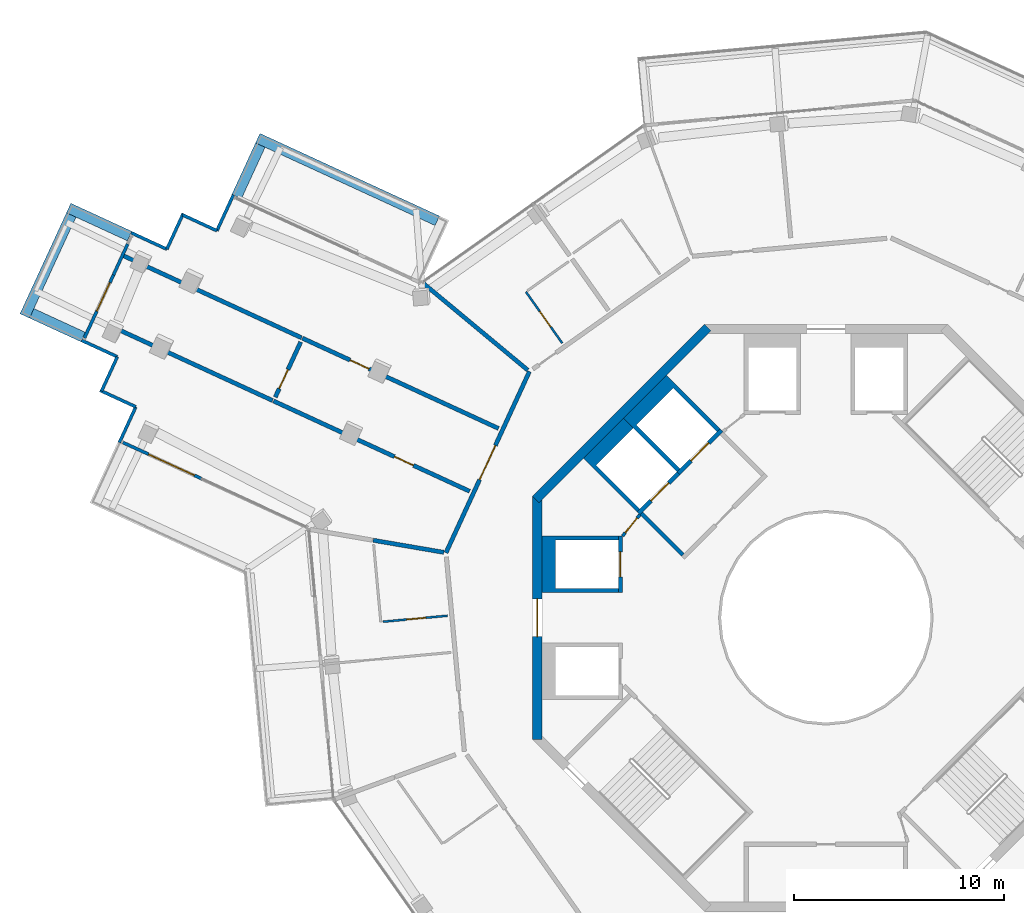
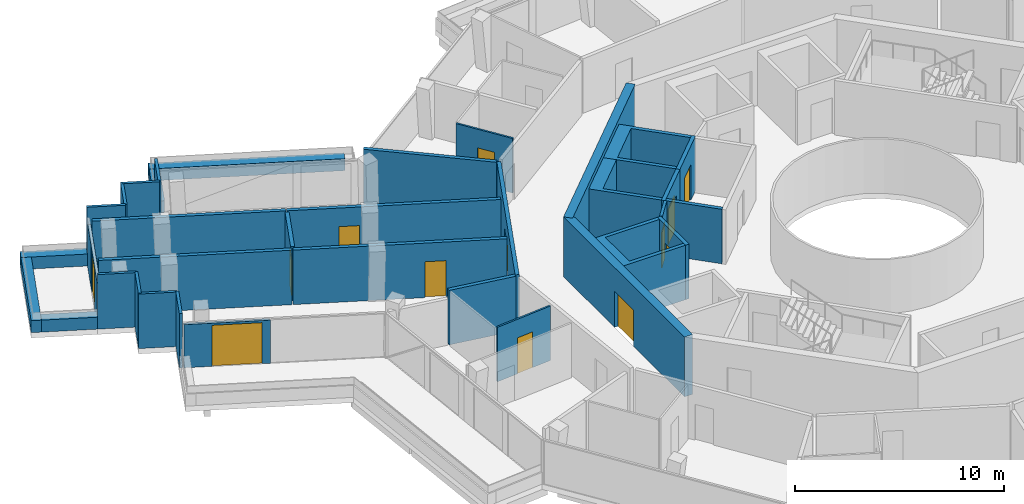
# One storey, part 19 of 25: 36 walls, 13 doors, 13 openings.
"""IFC4 building model written with IfcOpenShell, lengths in metres."""

from ifc_helpers import new_model, si_unit, direction, frame, frame_2d, origin, place, context, subcontext, project, spatial, polyline, rectangle, outline, extrude, material, layer, layer_set, type_object, element, fill, save


model = new_model("IFC4")

# Units and contexts
model_context = context("Model", 3, precision=1e-05, world=origin(), true_north=direction((0.0, 1.0)))
body_context = subcontext(model_context, "Body", "Model", "MODEL_VIEW")
ifc_project = project(units=[si_unit("LENGTHUNIT", "METRE"), si_unit("AREAUNIT", "SQUARE_METRE"), si_unit("VOLUMEUNIT", "CUBIC_METRE"), si_unit("PLANEANGLEUNIT", "RADIAN"), si_unit("MASSUNIT", "GRAM", prefix="KILO")], contexts=[model_context])

# Site, building, storey
site_placement = place(None, origin())
site = spatial("IfcSite", under=ifc_project, at=site_placement, CompositionType="ELEMENT")
building_placement = place(site_placement, origin())
building = spatial("IfcBuilding", under=site, at=building_placement, Name="Verdalira Terraces Hotel", CompositionType="ELEMENT")
storey_placement = place(building_placement, frame((0.0, 0.0, 299.5)))
storey = spatial("IfcBuildingStorey", under=building, at=storey_placement, Name="L74", CompositionType="ELEMENT", Elevation=299.5)

# Walls
ifc_material_1 = material(Name="Concrete C40", Category="concrete")
ifc_layer_1 = layer(ifc_material_1, 0.5)
ifc_layer_set_1 = layer_set([ifc_layer_1], Name="Balcony planter trough with tree")
wall_type_1 = type_object("IfcWallType", Name="Balcony planter trough with tree", PredefinedType="SOLIDWALL", material=ifc_layer_set_1)
wall_1_placement = place(storey_placement, frame((-33.214111, 18.208252, 0.0), z_axis=(0.0, 0.0, 1.0), x_axis=(-0.908372193, 0.418162598, 0.0)))
element("IfcWall", 1, at=wall_1_placement, inside=storey, type_object=wall_type_1, Name="Balcony planter", PredefinedType="SOLIDWALL", context=body_context, shape_type="SweptSolid", body=[
    extrude(rectangle(XDim=3.198975, YDim=0.5, at=frame_2d((1.599609, 0.0))), origin(), (0.0, 0.0, 1.0), 0.699951),
])
wall_2_placement = place(storey_placement, frame((-35.997314, 19.214355, 0.0), z_axis=(0.0, 0.0, 1.0), x_axis=(-0.418202126, -0.908353996, 0.0)))
element("IfcWall", 2, at=wall_2_placement, inside=storey, type_object=wall_type_1, Name="Balcony planter", PredefinedType="SOLIDWALL", context=body_context, shape_type="SweptSolid", body=[
    extrude(rectangle(XDim=5.300293, YDim=0.5, at=frame_2d((2.650146, 0.0))), origin(), (0.0, 0.0, 1.0), 0.699951),
])
wall_3_placement = place(storey_placement, frame((-37.88208, 14.522461, 0.0), z_axis=(0.0, 0.0, 1.0), x_axis=(0.908364029, -0.418180333, 0.0)))
element("IfcWall", 3, at=wall_3_placement, inside=storey, type_object=wall_type_1, Name="Balcony planter", PredefinedType="SOLIDWALL", context=body_context, shape_type="SweptSolid", body=[
    extrude(rectangle(XDim=2.698975, YDim=0.5, at=frame_2d((1.349609, 0.0))), origin(), (0.0, 0.0, 1.0), 0.699951),
])
wall_4_placement = place(storey_placement, frame((-18.537598, 18.9375, 0.0), z_axis=(0.0, 0.0, 1.0), x_axis=(-0.908360009, 0.418189066, 0.0)))
element("IfcWall", 4, at=wall_4_placement, inside=storey, type_object=wall_type_1, Name="Balcony planter", PredefinedType="SOLIDWALL", context=body_context, shape_type="SweptSolid", body=[
    extrude(rectangle(XDim=9.425537, YDim=0.5, at=frame_2d((4.712891, 0.0))), origin(), (0.0, 0.0, 1.0), 0.699951),
])
wall_5_placement = place(storey_placement, frame((-26.976807, 22.547607, 0.0), z_axis=(0.0, 0.0, 1.0), x_axis=(-0.418180333, -0.908364029, 0.0)))
element("IfcWall", 5, at=wall_5_placement, inside=storey, type_object=wall_type_1, Name="Balcony planter", PredefinedType="SOLIDWALL", context=body_context, shape_type="SweptSolid", body=[
    extrude(rectangle(XDim=2.698975, YDim=0.5, at=frame_2d((1.349609, 0.0))), origin(), (0.0, 0.0, 1.0), 0.699951),
])

# Wall, opening, door
ifc_material_2 = material(Name="Moisture-resistant gypsum board partition")
ifc_layer_2 = layer(ifc_material_2, 0.10009765625)
ifc_layer_set_2 = layer_set([ifc_layer_2], Name="Bathroom partition 100 mm")
wall_type_2 = type_object("IfcWallType", Name="Bathroom partition 100 mm", PredefinedType="PARTITIONING", material=ifc_layer_set_2)
wall_6_placement = place(storey_placement, frame((-21.130859, -0.187012, 0.0), z_axis=(0.0, 0.0, 1.0), x_axis=(0.99575325, 0.092062286, 0.0)))
wall_6 = element("IfcWall", 6, at=wall_6_placement, inside=storey, type_object=wall_type_2, Name="Bathroom partition", PredefinedType="PARTITIONING", context=body_context, shape_type="SweptSolid", body=[
    extrude(rectangle(XDim=3.100098, YDim=0.100098, at=frame_2d((1.550049, 0.0))), origin(), (0.0, 0.0, 1.0), 3.189941),
])
opening_1_placement = place(wall_6_placement, frame((1.149902, 0.0, 0.0)))
opening_1 = element("IfcOpeningElement", 7, at=opening_1_placement, cuts=wall_6, Name="Opening L74-107", PredefinedType="OPENING", context=body_context, shape_type="SweptSolid", body=[
    extrude(rectangle(XDim=0.899902, YDim=2.100098, at=frame_2d((0.449951, 1.050049))), frame((0.0, 0.060059, 0.0), z_axis=(0.0, -1.0, 0.0), x_axis=(1.0, 0.0, 0.0)), (0.0, 0.0, 1.0), 0.120117),
])
ifc_material_3 = material(Name="Timber door", Category="wood")
door_type_1 = type_object("IfcDoorType", Name="Bathroom door 900 x 2100", OperationType="NOTDEFINED", PredefinedType="DOOR", material=ifc_material_3)
door_1_placement = place(opening_1_placement, origin())
door_1 = element("IfcDoor", 8, at=door_1_placement, inside=storey, type_object=door_type_1, Name="Bathroom door 7402", OperationType="SINGLE_SWING_LEFT", OverallHeight=2.10009765625, OverallWidth=0.89990234375, PredefinedType="DOOR", context=body_context, shape_type="SweptSolid", body=[
    extrude(rectangle(XDim=0.899902, YDim=2.100098, at=frame_2d((0.449951, 1.050049))), frame((0.0, 0.024902, 0.0), z_axis=(0.0, -1.0, 0.0), x_axis=(1.0, 0.0, 0.0)), (0.0, 0.0, 1.0), 0.050049),
])
fill(opening_1, door_1)

wall_7_placement = place(storey_placement, frame((-14.309082, 15.549805, 0.0), z_axis=(0.0, 0.0, 1.0), x_axis=(0.577529543, -0.816369786, 0.0)))
wall_7 = element("IfcWall", 9, at=wall_7_placement, inside=storey, type_object=wall_type_2, Name="Bathroom partition", PredefinedType="PARTITIONING", context=body_context, shape_type="SweptSolid", body=[
    extrude(rectangle(XDim=3.000244, YDim=0.100098, at=frame_2d((1.5, 0.0))), origin(), (0.0, 0.0, 1.0), 3.189941),
])
opening_2_placement = place(wall_7_placement, frame((1.149902, 0.0, 0.0)))
opening_2 = element("IfcOpeningElement", 10, at=opening_2_placement, cuts=wall_7, Name="Opening L74-133", PredefinedType="OPENING", context=body_context, shape_type="SweptSolid", body=[
    extrude(rectangle(XDim=0.899902, YDim=2.100098, at=frame_2d((0.449951, 1.050049))), frame((0.0, 0.060059, 0.0), z_axis=(0.0, -1.0, 0.0), x_axis=(1.0, 0.0, 0.0)), (0.0, 0.0, 1.0), 0.120117),
])
door_2_placement = place(opening_2_placement, origin())
door_2 = element("IfcDoor", 11, at=door_2_placement, inside=storey, type_object=door_type_1, Name="Bathroom door 7413", OperationType="SINGLE_SWING_LEFT", OverallHeight=2.10009765625, OverallWidth=0.89990234375, PredefinedType="DOOR", context=body_context, shape_type="SweptSolid", body=[
    extrude(rectangle(XDim=0.899902, YDim=2.100098, at=frame_2d((0.449951, 1.050049))), frame((0.0, 0.024902, 0.0), z_axis=(0.0, -1.0, 0.0), x_axis=(1.0, 0.0, 0.0)), (0.0, 0.0, 1.0), 0.050049),
])
fill(opening_2, door_2)

# Wall
ifc_material_4 = material(Name="Concrete C50", Category="concrete")
ifc_layer_3 = layer(ifc_material_4, 0.199951171875)
ifc_layer_set_3 = layer_set([ifc_layer_3], Name="Core RC wall 200 C50")
wall_type_3 = type_object("IfcWallType", Name="Core RC wall 200 C50", PredefinedType="SOLIDWALL", material=ifc_layer_set_3)
wall_8_placement = place(storey_placement, origin())
element("IfcWall", 12, at=wall_8_placement, inside=storey, type_object=wall_type_3, Name="L74 shaft wall W1", PredefinedType="SOLIDWALL", context=body_context, shape_type="SweptSolid", body=[
    extrude(outline(polyline([(-13.550049, 3.899902), (-9.899902, 3.899902), (-9.899902, 3.699951), (-12.899902, 3.699951), (-12.899902, 1.399902), (-9.899902, 1.399902), (-9.899902, 1.199951), (-13.550049, 1.199951), (-13.550049, 3.899902)])), origin(), (0.0, 0.0, 1.0), 3.189941),
])

# Wall, opening, door
wall_9_placement = place(storey_placement, frame((-9.800049, 1.199951, 0.0), z_axis=(0.0, 0.0, 1.0), x_axis=(0.0, 1.0, 0.0)))
wall_9 = element("IfcWall", 13, at=wall_9_placement, inside=storey, type_object=wall_type_3, Name="L74 shaft front wall W1", PredefinedType="SOLIDWALL", context=body_context, shape_type="SweptSolid", body=[
    extrude(rectangle(XDim=2.699951, YDim=0.199951, at=frame_2d((1.350098, 0.0))), origin(), (0.0, 0.0, 1.0), 3.189941),
])
opening_3_placement = place(wall_9_placement, frame((0.75, 0.0, 0.0)))
opening_3 = element("IfcOpeningElement", 14, at=opening_3_placement, cuts=wall_9, Name="Opening LD-L74-806", PredefinedType="OPENING", context=body_context, shape_type="SweptSolid", body=[
    extrude(rectangle(XDim=1.199951, YDim=2.100098, at=frame_2d((0.600098, 1.050049))), frame((0.0, 0.109863, 0.0), z_axis=(0.0, -1.0, 0.0), x_axis=(1.0, 0.0, 0.0)), (0.0, 0.0, 1.0), 0.219971),
])
ifc_material_5 = material(Name="Stainless steel", Category="steel")
door_type_2 = type_object("IfcDoorType", Name="Landing door 1200 x 2100", OperationType="NOTDEFINED", PredefinedType="DOOR", material=ifc_material_5)
door_3_placement = place(opening_3_placement, origin())
door_3 = element("IfcDoor", 15, at=door_3_placement, inside=storey, type_object=door_type_2, Name="Lift landing door HR5 L74", OperationType="DOUBLE_DOOR_SLIDING", OverallHeight=2.10009765625, OverallWidth=1.199951171875, PredefinedType="DOOR", context=body_context, shape_type="SweptSolid", body=[
    extrude(rectangle(XDim=1.199951, YDim=2.100098, at=frame_2d((0.600098, 1.050049))), frame((0.0, 0.024902, 0.0), z_axis=(0.0, -1.0, 0.0), x_axis=(1.0, 0.0, 0.0)), (0.0, 0.0, 1.0), 0.050049),
])
fill(opening_3, door_3)

# Wall
wall_10_placement = place(storey_placement, origin())
element("IfcWall", 16, at=wall_10_placement, inside=storey, type_object=wall_type_3, Name="L74 shaft wall F1", PredefinedType="SOLIDWALL", context=body_context, shape_type="SweptSolid", body=[
    extrude(outline(polyline([(-9.6521, 9.510498), (-7.601318, 11.561279), (-5.055908, 9.015625), (-5.197266, 8.874268), (-7.283203, 10.960205), (-9.051025, 9.192383), (-6.965088, 7.106445), (-7.106445, 6.965088), (-9.6521, 9.510498)])), origin(), (0.0, 0.0, 1.0), 3.189941),
])

# Wall, opening, door
wall_11_placement = place(storey_placement, frame((-4.985107, 8.944824, 0.0), z_axis=(0.0, 0.0, 1.0), x_axis=(-0.707106781, -0.707106781, 0.0)))
wall_11 = element("IfcWall", 17, at=wall_11_placement, inside=storey, type_object=wall_type_3, Name="L74 shaft front wall F1", PredefinedType="SOLIDWALL", context=body_context, shape_type="SweptSolid", body=[
    extrude(rectangle(XDim=2.899902, YDim=0.199951, at=frame_2d((1.449951, 0.0))), origin(), (0.0, 0.0, 1.0), 3.189941),
])
opening_4_placement = place(wall_11_placement, frame((0.850098, 0.0, 0.0)))
opening_4 = element("IfcOpeningElement", 18, at=opening_4_placement, cuts=wall_11, Name="Opening LD-L74-808", PredefinedType="OPENING", context=body_context, shape_type="SweptSolid", body=[
    extrude(rectangle(XDim=1.199951, YDim=2.100098, at=frame_2d((0.600098, 1.050049))), frame((0.0, 0.109863, 0.0), z_axis=(0.0, -1.0, 0.0), x_axis=(1.0, 0.0, 0.0)), (0.0, 0.0, 1.0), 0.219971),
])
door_4_placement = place(opening_4_placement, origin())
door_4 = element("IfcDoor", 19, at=door_4_placement, inside=storey, type_object=door_type_2, Name="Lift landing door LF11 L74", OperationType="DOUBLE_DOOR_SLIDING", OverallHeight=2.10009765625, OverallWidth=1.199951171875, PredefinedType="DOOR", context=body_context, shape_type="SweptSolid", body=[
    extrude(rectangle(XDim=1.199951, YDim=2.100098, at=frame_2d((0.600098, 1.050049))), frame((0.0, 0.024902, 0.0), z_axis=(0.0, -1.0, 0.0), x_axis=(1.0, 0.0, 0.0)), (0.0, 0.0, 1.0), 0.050049),
])
fill(opening_4, door_4)

# Wall
wall_12_placement = place(storey_placement, origin())
element("IfcWall", 20, at=wall_12_placement, inside=storey, type_object=wall_type_3, Name="L74 shaft wall F2", PredefinedType="SOLIDWALL", context=body_context, shape_type="SweptSolid", body=[
    extrude(outline(polyline([(-11.561279, 7.601318), (-9.6521, 9.510498), (-9.192383, 9.051025), (-10.960205, 7.283203), (-8.874268, 5.197266), (-9.015625, 5.055908), (-11.561279, 7.601318)])), origin(), (0.0, 0.0, 1.0), 3.189941),
])

# Wall, opening, door
wall_13_placement = place(storey_placement, frame((-7.035645, 6.894287, 0.0), z_axis=(0.0, 0.0, 1.0), x_axis=(-0.707106781, -0.707106781, 0.0)))
wall_13 = element("IfcWall", 21, at=wall_13_placement, inside=storey, type_object=wall_type_3, Name="L74 shaft front wall F2", PredefinedType="SOLIDWALL", context=body_context, shape_type="SweptSolid", body=[
    extrude(rectangle(XDim=2.699951, YDim=0.199951, at=frame_2d((1.350098, 0.0))), origin(), (0.0, 0.0, 1.0), 3.189941),
])
opening_5_placement = place(wall_13_placement, frame((0.649902, 0.0, 0.0)))
opening_5 = element("IfcOpeningElement", 22, at=opening_5_placement, cuts=wall_13, Name="Opening LD-L74-809", PredefinedType="OPENING", context=body_context, shape_type="SweptSolid", body=[
    extrude(rectangle(XDim=1.199951, YDim=2.100098, at=frame_2d((0.600098, 1.050049))), frame((0.0, 0.109863, 0.0), z_axis=(0.0, -1.0, 0.0), x_axis=(1.0, 0.0, 0.0)), (0.0, 0.0, 1.0), 0.219971),
])
door_5_placement = place(opening_5_placement, origin())
door_5 = element("IfcDoor", 23, at=door_5_placement, inside=storey, type_object=door_type_2, Name="Lift landing door LF12 L74", OperationType="DOUBLE_DOOR_SLIDING", OverallHeight=2.10009765625, OverallWidth=1.199951171875, PredefinedType="DOOR", context=body_context, shape_type="SweptSolid", body=[
    extrude(rectangle(XDim=1.199951, YDim=2.100098, at=frame_2d((0.600098, 1.050049))), frame((0.0, 0.024902, 0.0), z_axis=(0.0, -1.0, 0.0), x_axis=(1.0, 0.0, 0.0)), (0.0, 0.0, 1.0), 0.050049),
])
fill(opening_5, door_5)

# Wall
wall_14_placement = place(storey_placement, frame((-6.823486, 3.005127, 0.0), z_axis=(0.0, 0.0, 1.0), x_axis=(-0.707106781, 0.707106781, 0.0)))
element("IfcWall", 24, at=wall_14_placement, inside=storey, type_object=wall_type_3, Name="L74 fire lobby wall", PredefinedType="SOLIDWALL", context=body_context, shape_type="SweptSolid", body=[
    extrude(rectangle(XDim=2.800049, YDim=0.199951, at=frame_2d((1.399902, 0.0))), origin(), (0.0, 0.0, 1.0), 3.189941),
])

# Wall, opening, door
ifc_material_6 = material(Name="Gypsum board partition")
ifc_layer_4 = layer(ifc_material_6, 0.14990234375)
ifc_layer_set_4 = layer_set([ifc_layer_4], Name="Core partition 150 mm")
wall_type_4 = type_object("IfcWallType", Name="Core partition 150 mm", PredefinedType="PARTITIONING", material=ifc_layer_set_4)
wall_15_placement = place(storey_placement, frame((-8.874268, 4.914307, 0.0), z_axis=(0.0, 0.0, 1.0), x_axis=(-0.631274009, -0.775559878, 0.0)))
wall_15 = element("IfcWall", 25, at=wall_15_placement, inside=storey, type_object=wall_type_4, Name="Room partition L74", PredefinedType="PARTITIONING", context=body_context, shape_type="SweptSolid", body=[
    extrude(rectangle(XDim=1.307861, YDim=0.149902, at=frame_2d((0.653809, 0.0))), origin(), (0.0, 0.0, 1.0), 3.189941),
])
opening_6_placement = place(wall_15_placement, frame((0.204102, 0.0, 0.0)))
opening_6 = element("IfcOpeningElement", 26, at=opening_6_placement, cuts=wall_15, Name="Opening L74-821", PredefinedType="OPENING", context=body_context, shape_type="SweptSolid", body=[
    extrude(rectangle(XDim=0.899902, YDim=2.100098, at=frame_2d((0.449951, 1.050049))), frame((0.0, 0.084961, 0.0), z_axis=(0.0, -1.0, 0.0), x_axis=(1.0, 0.0, 0.0)), (0.0, 0.0, 1.0), 0.169922),
])
ifc_material_7 = material(Name="Steel fire door", Category="steel")
door_type_3 = type_object("IfcDoorType", Name="Core room door 900 x 2100", OperationType="NOTDEFINED", PredefinedType="DOOR", material=ifc_material_7)
door_6_placement = place(opening_6_placement, origin())
door_6 = element("IfcDoor", 27, at=door_6_placement, inside=storey, type_object=door_type_3, Name="Door L74 room3", OperationType="SINGLE_SWING_LEFT", OverallHeight=2.10009765625, OverallWidth=0.89990234375, PredefinedType="DOOR", context=body_context, shape_type="SweptSolid", body=[
    extrude(rectangle(XDim=0.899902, YDim=2.100098, at=frame_2d((0.449951, 1.050049))), frame((0.0, 0.024902, 0.0), z_axis=(0.0, -1.0, 0.0), x_axis=(1.0, 0.0, 0.0)), (0.0, 0.0, 1.0), 0.050049),
])
fill(opening_6, door_6)

# Wall
ifc_material_8 = material(Name="Concrete C50", Category="concrete")
ifc_layer_5 = layer(ifc_material_8, 0.449951171875)
ifc_layer_set_5 = layer_set([ifc_layer_5], Name="Core wall 450 C50")
wall_type_5 = type_object("IfcWallType", Name="Core wall 450 C50", PredefinedType="SHEAR", material=ifc_layer_set_5)
wall_16_placement = place(storey_placement, frame((-5.639893, 13.84082, 0.0), z_axis=(0.0, 0.0, 1.0), x_axis=(-0.707106781, -0.707106781, 0.0)))
element("IfcWall", 28, at=wall_16_placement, inside=storey, type_object=wall_type_5, Name="Core wall CW-L74-4", PredefinedType="SHEAR", context=body_context, shape_type="SweptSolid", body=[
    extrude(rectangle(XDim=11.5979, YDim=0.449951, at=frame_2d((5.798828, 0.0))), origin(), (0.0, 0.0, 1.0), 3.5),
])

# Wall, opening, door
wall_17_placement = place(storey_placement, frame((-13.774902, 5.799072, 0.0), z_axis=(0.0, 0.0, 1.0), x_axis=(0.0, -1.0, 0.0)))
wall_17 = element("IfcWall", 29, at=wall_17_placement, inside=storey, type_object=wall_type_5, Name="Core wall CW-L74-5", PredefinedType="SHEAR", context=body_context, shape_type="SweptSolid", body=[
    extrude(rectangle(XDim=11.598145, YDim=0.449951, at=frame_2d((5.799072, 0.0))), origin(), (0.0, 0.0, 1.0), 3.5),
])
opening_7_placement = place(wall_17_placement, frame((4.898926, 0.0, 0.0)))
opening_7 = element("IfcOpeningElement", 30, at=opening_7_placement, cuts=wall_17, Name="Opening L74-815", PredefinedType="OPENING", context=body_context, shape_type="SweptSolid", body=[
    extrude(rectangle(XDim=1.800049, YDim=2.100098, at=frame_2d((0.899902, 1.050049))), frame((0.0, 0.234863, 0.0), z_axis=(0.0, -1.0, 0.0), x_axis=(1.0, 0.0, 0.0)), (0.0, 0.0, 1.0), 0.469971),
])
ifc_material_9 = material(Name="Steel fire door", Category="steel")
door_type_4 = type_object("IfcDoorType", Name="Core entry door pair 1800 x 2100", OperationType="NOTDEFINED", PredefinedType="DOOR", material=ifc_material_9)
door_7_placement = place(opening_7_placement, origin())
door_7 = element("IfcDoor", 31, at=door_7_placement, inside=storey, type_object=door_type_4, Name="Core entry door L74 4", OperationType="DOUBLE_DOOR_SINGLE_SWING", OverallHeight=2.10009765625, OverallWidth=1.800048828125, PredefinedType="DOOR", context=body_context, shape_type="SweptSolid", body=[
    extrude(rectangle(XDim=1.800049, YDim=2.100098, at=frame_2d((0.899902, 1.050049))), frame((0.0, 0.024902, 0.0), z_axis=(0.0, -1.0, 0.0), x_axis=(1.0, 0.0, 0.0)), (0.0, 0.0, 1.0), 0.050049),
])
fill(opening_7, door_7)

# Walls
ifc_material_10 = material(Name="Fire-rated gypsum board wall")
ifc_layer_6 = layer(ifc_material_10, 0.199951171875)
ifc_layer_set_6 = layer_set([ifc_layer_6], Name="Demising wall 200 mm")
wall_type_6 = type_object("IfcWallType", Name="Demising wall 200 mm", PredefinedType="SOLIDWALL", material=ifc_layer_set_6)
for number, where, z_axis, x_axis, name in (
    (32, (-34.864014, 14.263184, 0.0), (0.0, 0.0, 1.0), (0.908359631, -0.418189886, 0.0), "Demising wall"),
    (33, (-25.012207, 13.358398, 0.0), (0.0, 0.0, 1.0), (-0.908359631, 0.418189886, 0.0), "Demising wall"),
):
    element("IfcWall", number, at=place(storey_placement, frame(where, z_axis=z_axis, x_axis=x_axis)), inside=storey, type_object=wall_type_6, Name=name, PredefinedType="SOLIDWALL", context=body_context, shape_type="SweptSolid", body=[
        extrude(rectangle(XDim=9.327393, YDim=0.199951, at=frame_2d((4.663574, 0.0))), origin(), (0.0, 0.0, 1.0), 3.189941),
    ])

# Wall, opening, door
wall_18_placement = place(storey_placement, frame((-26.26416, 10.52417, 0.0), z_axis=(0.0, 0.0, 1.0), x_axis=(0.418203191, 0.908353506, 0.0)))
wall_18 = element("IfcWall", 34, at=wall_18_placement, inside=storey, type_object=wall_type_6, Name="Demising wall", PredefinedType="SOLIDWALL", context=body_context, shape_type="SweptSolid", body=[
    extrude(rectangle(XDim=2.897949, YDim=0.199951, at=frame_2d((1.448975, 0.0))), origin(), (0.0, 0.0, 1.0), 3.189941),
])
opening_8_placement = place(wall_18_placement, frame((0.449951, 0.0, 0.0)))
opening_8 = element("IfcOpeningElement", 35, at=opening_8_placement, cuts=wall_18, Name="Opening L74-104", PredefinedType="OPENING", context=body_context, shape_type="SweptSolid", body=[
    extrude(rectangle(XDim=1.0, YDim=2.100098, at=frame_2d((0.5, 1.050049))), frame((0.0, 0.109863, 0.0), z_axis=(0.0, -1.0, 0.0), x_axis=(1.0, 0.0, 0.0)), (0.0, 0.0, 1.0), 0.219971),
])
ifc_material_11 = material(Name="Timber fire door", Category="wood")
door_type_5 = type_object("IfcDoorType", Name="Public room door 1000 x 2100", OperationType="NOTDEFINED", PredefinedType="DOOR", material=ifc_material_11)
door_8_placement = place(opening_8_placement, origin())
door_8 = element("IfcDoor", 36, at=door_8_placement, inside=storey, type_object=door_type_5, Name="Public room door 7401", OperationType="SINGLE_SWING_LEFT", OverallHeight=2.10009765625, OverallWidth=1.0, PredefinedType="DOOR", context=body_context, shape_type="SweptSolid", body=[
    extrude(rectangle(XDim=1.0, YDim=2.100098, at=frame_2d((0.5, 1.050049))), frame((0.0, 0.024902, 0.0), z_axis=(0.0, -1.0, 0.0), x_axis=(1.0, 0.0, 0.0)), (0.0, 0.0, 1.0), 0.050049),
])
fill(opening_8, door_8)

wall_19_placement = place(storey_placement, frame((-16.991699, 6.035156, 0.0), z_axis=(0.0, 0.0, 1.0), x_axis=(-0.908362647, 0.418183336, 0.0)))
wall_19 = element("IfcWall", 37, at=wall_19_placement, inside=storey, type_object=wall_type_6, Name="Demising wall", PredefinedType="SOLIDWALL", context=body_context, shape_type="SweptSolid", body=[
    extrude(rectangle(XDim=10.302002, YDim=0.199951, at=frame_2d((5.150879, 0.0))), origin(), (0.0, 0.0, 1.0), 3.189941),
])
opening_9_placement = place(wall_19_placement, frame((2.949951, 0.0, 0.0)))
opening_9 = element("IfcOpeningElement", 38, at=opening_9_placement, cuts=wall_19, Name="Opening L74-103", PredefinedType="OPENING", context=body_context, shape_type="SweptSolid", body=[
    extrude(rectangle(XDim=1.0, YDim=2.100098, at=frame_2d((0.5, 1.050049))), frame((0.0, 0.109863, 0.0), z_axis=(0.0, -1.0, 0.0), x_axis=(1.0, 0.0, 0.0)), (0.0, 0.0, 1.0), 0.219971),
])
door_9_placement = place(opening_9_placement, origin())
door_9 = element("IfcDoor", 39, at=door_9_placement, inside=storey, type_object=door_type_5, Name="Public room door 7401", OperationType="SINGLE_SWING_LEFT", OverallHeight=2.10009765625, OverallWidth=1.0, PredefinedType="DOOR", context=body_context, shape_type="SweptSolid", body=[
    extrude(rectangle(XDim=1.0, YDim=2.100098, at=frame_2d((0.5, 1.050049))), frame((0.0, 0.024902, 0.0), z_axis=(0.0, -1.0, 0.0), x_axis=(1.0, 0.0, 0.0)), (0.0, 0.0, 1.0), 0.050049),
])
fill(opening_9, door_9)

wall_20_placement = place(storey_placement, frame((-24.970215, 13.339111, 0.0), z_axis=(0.0, 0.0, 1.0), x_axis=(0.908362647, -0.418183336, 0.0)))
wall_20 = element("IfcWall", 40, at=wall_20_placement, inside=storey, type_object=wall_type_6, Name="Demising wall", PredefinedType="SOLIDWALL", context=body_context, shape_type="SweptSolid", body=[
    extrude(rectangle(XDim=10.302002, YDim=0.199951, at=frame_2d((5.150879, 0.0))), origin(), (0.0, 0.0, 1.0), 3.189941),
])
opening_10_placement = place(wall_20_placement, frame((2.5, 0.0, 0.0)))
opening_10 = element("IfcOpeningElement", 41, at=opening_10_placement, cuts=wall_20, Name="Opening L74-102", PredefinedType="OPENING", context=body_context, shape_type="SweptSolid", body=[
    extrude(rectangle(XDim=1.0, YDim=2.100098, at=frame_2d((0.5, 1.050049))), frame((0.0, 0.109863, 0.0), z_axis=(0.0, -1.0, 0.0), x_axis=(1.0, 0.0, 0.0)), (0.0, 0.0, 1.0), 0.219971),
])
door_10_placement = place(opening_10_placement, origin())
door_10 = element("IfcDoor", 42, at=door_10_placement, inside=storey, type_object=door_type_5, Name="Public room door 7401", OperationType="SINGLE_SWING_LEFT", OverallHeight=2.10009765625, OverallWidth=1.0, PredefinedType="DOOR", context=body_context, shape_type="SweptSolid", body=[
    extrude(rectangle(XDim=1.0, YDim=2.100098, at=frame_2d((0.5, 1.050049))), frame((0.0, 0.024902, 0.0), z_axis=(0.0, -1.0, 0.0), x_axis=(1.0, 0.0, 0.0)), (0.0, 0.0, 1.0), 0.050049),
])
fill(opening_10, door_10)

# Walls
wall_21_placement = place(storey_placement, frame((-18.2229, 3.121338, 0.0), z_axis=(0.0, 0.0, 1.0), x_axis=(-0.985644674, 0.168832984, 0.0)))
element("IfcWall", 43, at=wall_21_placement, inside=storey, type_object=wall_type_6, Name="Demising wall", PredefinedType="SOLIDWALL", context=body_context, shape_type="SweptSolid", body=[
    extrude(rectangle(XDim=3.418457, YDim=0.199951, at=frame_2d((1.709229, 0.0))), origin(), (0.0, 0.0, 1.0), 3.189941),
])
wall_22_placement = place(storey_placement, frame((-19.201904, 15.952881, 0.0), z_axis=(0.0, 0.0, 1.0), x_axis=(0.769193794, -0.639015577, 0.0)))
element("IfcWall", 44, at=wall_22_placement, inside=storey, type_object=wall_type_6, Name="Demising wall", PredefinedType="SOLIDWALL", context=body_context, shape_type="SweptSolid", body=[
    extrude(rectangle(XDim=6.47583, YDim=0.199951, at=frame_2d((3.237793, 0.0))), origin(), (0.0, 0.0, 1.0), 3.189941),
])

# Wall, opening, door
ifc_material_12 = material(Name="Fire-rated gypsum board wall")
ifc_layer_7 = layer(ifc_material_12, 0.199951171875)
ifc_layer_set_7 = layer_set([ifc_layer_7], Name="Guest corridor wall 200 mm")
wall_type_7 = type_object("IfcWallType", Name="Guest corridor wall 200 mm", PredefinedType="SOLIDWALL", material=ifc_layer_set_7)
wall_23_placement = place(storey_placement, frame((-18.12085, 3.104004, 0.0), z_axis=(0.0, 0.0, 1.0), x_axis=(0.418187622, 0.908360673, 0.0)))
wall_23 = element("IfcWall", 45, at=wall_23_placement, inside=storey, type_object=wall_type_7, Name="Guest corridor wall", PredefinedType="SOLIDWALL", context=body_context, shape_type="SweptSolid", body=[
    extrude(rectangle(XDim=9.516602, YDim=0.199951, at=frame_2d((4.758301, 0.0))), origin(), (0.0, 0.0, 1.0), 3.189941),
])
opening_11_placement = place(wall_23_placement, frame((3.834961, 0.0, 0.0)))
opening_11 = element("IfcOpeningElement", 46, at=opening_11_placement, cuts=wall_23, Name="Opening L74-101", PredefinedType="OPENING", context=body_context, shape_type="SweptSolid", body=[
    extrude(rectangle(XDim=1.800049, YDim=2.100098, at=frame_2d((0.899902, 1.050049))), frame((0.0, 0.109863, 0.0), z_axis=(0.0, -1.0, 0.0), x_axis=(1.0, 0.0, 0.0)), (0.0, 0.0, 1.0), 0.219971),
])
ifc_material_13 = material(Name="Timber fire door", Category="wood")
door_type_6 = type_object("IfcDoorType", Name="Public room double door 1800 x 2100", OperationType="NOTDEFINED", PredefinedType="DOOR", material=ifc_material_13)
door_11_placement = place(opening_11_placement, origin())
door_11 = element("IfcDoor", 47, at=door_11_placement, inside=storey, type_object=door_type_6, Name="Public room double door 7401", OperationType="DOUBLE_DOOR_SINGLE_SWING", OverallHeight=2.10009765625, OverallWidth=1.800048828125, PredefinedType="DOOR", context=body_context, shape_type="SweptSolid", body=[
    extrude(rectangle(XDim=1.800049, YDim=2.100098, at=frame_2d((0.899902, 1.050049))), frame((0.0, 0.024902, 0.0), z_axis=(0.0, -1.0, 0.0), x_axis=(1.0, 0.0, 0.0)), (0.0, 0.0, 1.0), 0.050049),
])
fill(opening_11, door_11)

# Walls
ifc_material_14 = material(Name="Terracotta cladding", Category="masonry")
ifc_layer_8 = layer(ifc_material_14, 0.14990234375)
ifc_layer_set_8 = layer_set([ifc_layer_8], Name="Terracotta clad wall 150")
wall_type_8 = type_object("IfcWallType", Name="Terracotta clad wall 150", PredefinedType="SOLIDWALL", material=ifc_layer_set_8)
wall_24_placement = place(storey_placement, frame((-28.264893, 20.168213, 0.0), z_axis=(0.0, 0.0, 1.0), x_axis=(-0.418182826, -0.908362881, 0.0)))
element("IfcWall", 48, at=wall_24_placement, inside=storey, type_object=wall_type_8, Name="Terracotta cladding wall", PredefinedType="SOLIDWALL", context=body_context, shape_type="SweptSolid", body=[
    extrude(rectangle(XDim=1.875244, YDim=0.149902, at=frame_2d((0.9375, 0.0))), origin(), (0.0, 0.0, 1.0), 3.189941),
])
wall_25_placement = place(storey_placement, frame((-29.049072, 18.464844, 0.0), z_axis=(0.0, 0.0, 1.0), x_axis=(-0.908316325, 0.41828394, 0.0)))
element("IfcWall", 49, at=wall_25_placement, inside=storey, type_object=wall_type_8, Name="Terracotta cladding wall", PredefinedType="SOLIDWALL", context=body_context, shape_type="SweptSolid", body=[
    extrude(rectangle(XDim=1.800049, YDim=0.149902, at=frame_2d((0.899902, 0.0))), origin(), (0.0, 0.0, 1.0), 3.189941),
])
for number, where, z_axis, x_axis, name in (
    (50, (-30.652832, 19.285889, 0.0), (0.0, 0.0, 1.0), (-0.418075391, -0.908412333, 0.0), "Terracotta cladding wall"),
    (51, (-31.436768, 17.58252, 0.0), (0.0, 0.0, 1.0), (-0.908340109, 0.418232287, 0.0), "Terracotta cladding wall"),
    (52, (-35.502686, 13.234375, 0.0), (0.0, 0.0, 1.0), (0.908389572, -0.418124845, 0.0), "Terracotta cladding wall"),
):
    element("IfcWall", number, at=place(storey_placement, frame(where, z_axis=z_axis, x_axis=x_axis)), inside=storey, type_object=wall_type_8, Name=name, PredefinedType="SOLIDWALL", context=body_context, shape_type="SweptSolid", body=[
        extrude(rectangle(XDim=1.875, YDim=0.149902, at=frame_2d((0.9375, 0.0))), origin(), (0.0, 0.0, 1.0), 3.189941),
    ])
wall_26_placement = place(storey_placement, frame((-33.799561, 12.450439, 0.0), z_axis=(0.0, 0.0, 1.0), x_axis=(-0.418120513, -0.908391566, 0.0)))
element("IfcWall", 53, at=wall_26_placement, inside=storey, type_object=wall_type_8, Name="Terracotta cladding wall", PredefinedType="SOLIDWALL", context=body_context, shape_type="SweptSolid", body=[
    extrude(rectangle(XDim=1.800049, YDim=0.149902, at=frame_2d((0.899902, 0.0))), origin(), (0.0, 0.0, 1.0), 3.189941),
])
for number, where, z_axis, x_axis, name in (
    (54, (-34.620361, 10.84668, 0.0), (0.0, 0.0, 1.0), (0.908340109, -0.418232287, 0.0), "Terracotta cladding wall"),
    (55, (-32.917236, 10.0625, 0.0), (0.0, 0.0, 1.0), (-0.418232287, -0.908340109, 0.0), "Terracotta cladding wall"),
):
    element("IfcWall", number, at=place(storey_placement, frame(where, z_axis=z_axis, x_axis=x_axis)), inside=storey, type_object=wall_type_8, Name=name, PredefinedType="SOLIDWALL", context=body_context, shape_type="SweptSolid", body=[
        extrude(rectangle(XDim=1.875, YDim=0.149902, at=frame_2d((0.9375, 0.0))), origin(), (0.0, 0.0, 1.0), 3.189941),
    ])
ifc_material_15 = material(Name="Terracotta cladding", Category="masonry")
ifc_layer_9 = layer(ifc_material_15, 0.14990234375)
ifc_layer_set_9 = layer_set([ifc_layer_9], Name="Terracotta column pier 150")
wall_type_9 = type_object("IfcWallType", Name="Terracotta column pier 150", PredefinedType="SOLIDWALL", material=ifc_layer_set_9)
wall_27_placement = place(storey_placement, frame((-33.303955, 17.831299, 0.0), z_axis=(0.0, 0.0, 1.0), x_axis=(-0.418165184, -0.908371003, 0.0)))
element("IfcWall", 56, at=wall_27_placement, inside=storey, type_object=wall_type_9, Name="Terracotta column pier", PredefinedType="SOLIDWALL", context=body_context, shape_type="SweptSolid", body=[
    extrude(rectangle(XDim=1.630127, YDim=0.149902, at=frame_2d((0.814941, 0.0))), origin(), (0.0, 0.0, 1.0), 2.524902),
])

# Wall, opening, door
ifc_material_16 = material(Name="Terracotta cladding", Category="masonry")
ifc_layer_10 = layer(ifc_material_16, 0.14990234375)
ifc_layer_set_10 = layer_set([ifc_layer_10], Name="Terracotta door pier 150")
wall_type_10 = type_object("IfcWallType", Name="Terracotta door pier 150", PredefinedType="SOLIDWALL", material=ifc_layer_set_10)
wall_28_placement = place(storey_placement, frame((-33.985596, 16.350586, 0.0), z_axis=(0.0, 0.0, 1.0), x_axis=(-0.41821606, -0.90834758, 0.0)))
wall_28 = element("IfcWall", 57, at=wall_28_placement, inside=storey, type_object=wall_type_10, Name="Terracotta door pier", PredefinedType="SOLIDWALL", context=body_context, shape_type="SweptSolid", body=[
    extrude(rectangle(XDim=3.310059, YDim=0.149902, at=frame_2d((1.655029, 0.0))), origin(), (0.0, 0.0, 1.0), 2.524902),
])
opening_12_placement = place(wall_28_placement, frame((0.399902, 0.0, 0.0)))
opening_12 = element("IfcOpeningElement", 58, at=opening_12_placement, cuts=wall_28, Name="Opening L74-B02", PredefinedType="OPENING", context=body_context, shape_type="SweptSolid", body=[
    extrude(rectangle(XDim=1.5, YDim=2.399902, at=frame_2d((0.75, 1.199951))), frame((0.0, 0.084961, 0.0), z_axis=(0.0, -1.0, 0.0), x_axis=(1.0, 0.0, 0.0)), (0.0, 0.0, 1.0), 0.169922),
])
ifc_material_17 = material(Name="Clear glass", Category="glass")
door_type_7 = type_object("IfcDoorType", Name="Balcony sliding door 1500x2400", OperationType="NOTDEFINED", PredefinedType="DOOR", material=ifc_material_17)
door_12_placement = place(opening_12_placement, origin())
door_12 = element("IfcDoor", 59, at=door_12_placement, inside=storey, type_object=door_type_7, Name="Balcony sliding door", OperationType="SLIDING_TO_RIGHT", OverallHeight=2.39990234375, OverallWidth=1.5, PredefinedType="DOOR", context=body_context, shape_type="SweptSolid", body=[
    extrude(rectangle(XDim=1.5, YDim=2.399902, at=frame_2d((0.75, 1.199951))), frame((0.0, 0.024902, 0.0), z_axis=(0.0, -1.0, 0.0), x_axis=(1.0, 0.0, 0.0)), (0.0, 0.0, 1.0), 0.050049),
])
fill(opening_12, door_12)

wall_29_placement = place(storey_placement, frame((-33.53833, 8.366943, 0.0), z_axis=(0.0, 0.0, 1.0), x_axis=(0.908354043, -0.418202023, 0.0)))
wall_29 = element("IfcWall", 60, at=wall_29_placement, inside=storey, type_object=wall_type_10, Name="Terracotta door pier", PredefinedType="SOLIDWALL", context=body_context, shape_type="SweptSolid", body=[
    extrude(rectangle(XDim=4.160156, YDim=0.149902, at=frame_2d((2.080078, 0.0))), origin(), (0.0, 0.0, 1.0), 2.524902),
])
opening_13_placement = place(wall_29_placement, frame((1.360107, 0.0, 0.0)))
opening_13 = element("IfcOpeningElement", 61, at=opening_13_placement, cuts=wall_29, Name="Opening L74-B03", PredefinedType="OPENING", context=body_context, shape_type="SweptSolid", body=[
    extrude(rectangle(XDim=2.399902, YDim=2.399902, at=frame_2d((1.199951, 1.199951))), frame((0.0, 0.084961, 0.0), z_axis=(0.0, -1.0, 0.0), x_axis=(1.0, 0.0, 0.0)), (0.0, 0.0, 1.0), 0.169922),
])
ifc_material_18 = material(Name="Clear glass", Category="glass")
door_type_8 = type_object("IfcDoorType", Name="Balcony sliding door 2400x2400", OperationType="NOTDEFINED", PredefinedType="DOOR", material=ifc_material_18)
door_13_placement = place(opening_13_placement, origin())
door_13 = element("IfcDoor", 62, at=door_13_placement, inside=storey, type_object=door_type_8, Name="Balcony sliding door", OperationType="SLIDING_TO_LEFT", OverallHeight=2.39990234375, OverallWidth=2.39990234375, PredefinedType="DOOR", context=body_context, shape_type="SweptSolid", body=[
    extrude(rectangle(XDim=2.399902, YDim=2.399902, at=frame_2d((1.199951, 1.199951))), frame((0.0, 0.024902, 0.0), z_axis=(0.0, -1.0, 0.0), x_axis=(1.0, 0.0, 0.0)), (0.0, 0.0, 1.0), 0.050049),
])
fill(opening_13, door_13)

save(model, "model.ifc")
